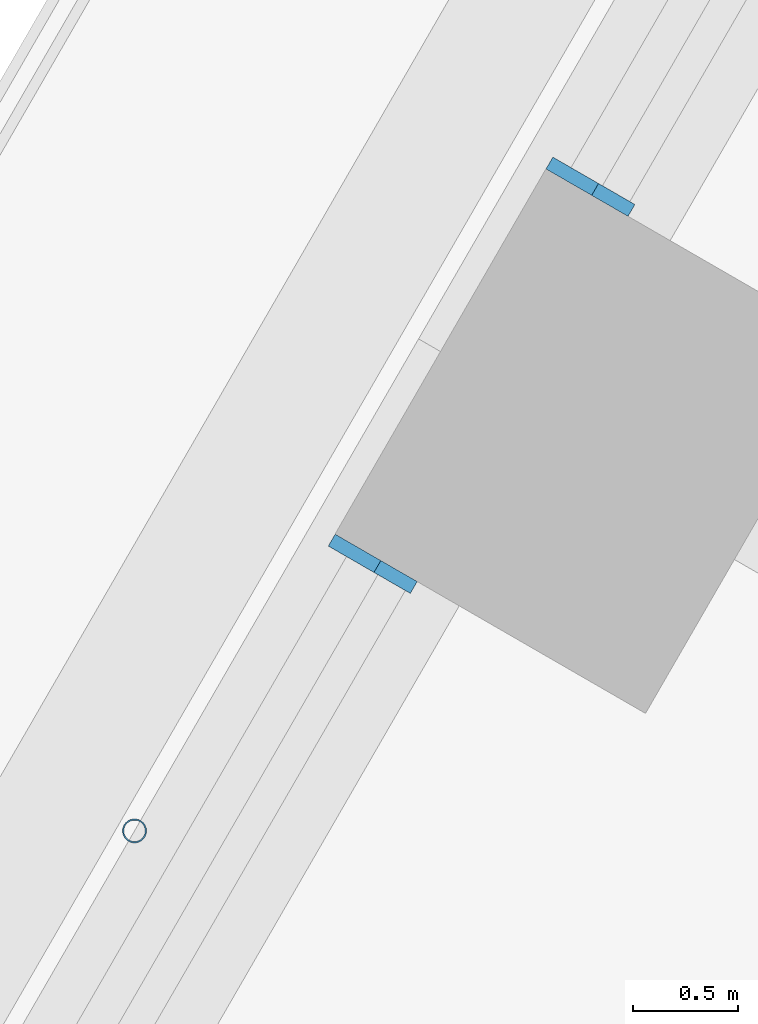
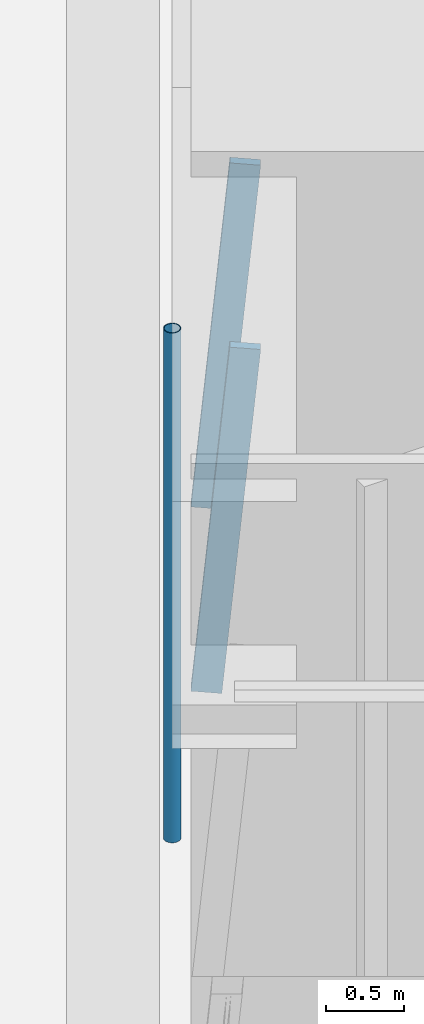
# One storey, part 7 of 24: 3 members, 2 elements without a shape of their own.
"""IFC4 building model written with IfcOpenShell, lengths in metres."""

from ifc_helpers import new_model, si_unit, direction, frame, origin, origin_2d, place, context, subcontext, project, spatial, rectangle, hollow_circle, extrude, material, material_profile, profile_set, type_object, element, aggregate, save


model = new_model("IFC4")

# Units and contexts
model_context = context("Model", 3, precision=1e-05, world=origin(), true_north=direction((0.0, 1.0)))
body_context = subcontext(model_context, "Body", "Model", "MODEL_VIEW")
ifc_project = project(units=[si_unit("LENGTHUNIT", "METRE"), si_unit("AREAUNIT", "SQUARE_METRE"), si_unit("VOLUMEUNIT", "CUBIC_METRE"), si_unit("PLANEANGLEUNIT", "RADIAN"), si_unit("MASSUNIT", "GRAM", prefix="KILO")], contexts=[model_context])

# Site, building, storey
site_placement = place(None, origin())
site = spatial("IfcSite", under=ifc_project, at=site_placement, CompositionType="ELEMENT")
building_placement = place(site_placement, origin())
building = spatial("IfcBuilding", under=site, at=building_placement, Name="Tarfa Lantern Tower", CompositionType="ELEMENT")
storey_placement = place(building_placement, frame((0.0, 0.0, 69.699951171875)))
storey = spatial("IfcBuildingStorey", under=building, at=storey_placement, Name="L15", CompositionType="ELEMENT", Elevation=69.699951171875)

# Curtain wall, member
ifc_material_1 = material(Name="Aluminium framed curtain wall", Category="aluminium")
curtain_wall_type = type_object("IfcCurtainWallType", Name="CW1 CANTED GLAZING LOW ZONE 2700", PredefinedType="USERDEFINED", material=ifc_material_1)
curtain_wall_1_placement = place(storey_placement, origin())
curtain_wall_1 = element("IfcCurtainWall", 1, at=curtain_wall_1_placement, inside=storey, type_object=curtain_wall_type, Name="CW1 NW L15", ObjectType="CURTAIN WALL", PredefinedType="USERDEFINED")
ifc_material_2 = material(Name="Aluminium mullion", Category="aluminium")
ifc_material_profile_1 = material_profile(ifc_material_2, rectangle(XDim=0.06494140625, YDim=0.199951171875, at=origin_2d()), Name="AL MULLION 65x200")
ifc_profile_set_1 = profile_set([ifc_material_profile_1], Name="Aluminium mullion")
member_type_1 = type_object("IfcMemberType", Name="CWM1 MULLION 65x200", PredefinedType="MULLION", material=ifc_profile_set_1)
member_1_placement = place(storey_placement, frame((-31.536376953125, 13.177490234375, 0.0), z_axis=(0.07986442134, -0.046099868913, 0.99573916077), x_axis=(0.499919672301, 0.866071776036, 0.0)))
member_1 = element("IfcMember", 2, at=member_1_placement, type_object=member_type_1, Name="CW1 mullion 2", PredefinedType="MULLION", context=body_context, shape_type="SweptSolid", body=[
    extrude(rectangle(XDim=0.06494140625, YDim=0.199951171875, at=origin_2d()), origin(), (0.0, 0.0, 1.0), 2.71142578125),
])
aggregate(curtain_wall_1, [member_1])

curtain_wall_2_placement = place(storey_placement, origin())
curtain_wall_2 = element("IfcCurtainWall", 3, at=curtain_wall_2_placement, inside=storey, type_object=curtain_wall_type, Name="CW1 NW L15", ObjectType="CURTAIN WALL", PredefinedType="USERDEFINED")
member_2_placement = place(storey_placement, frame((-32.56884765625, 11.38916015625, 0.0), z_axis=(0.07986442134, -0.046099868913, 0.99573916077), x_axis=(0.499919672301, 0.866071776036, 0.0)))
member_2 = element("IfcMember", 4, at=member_2_placement, type_object=member_type_1, Name="CW1 mullion 1", PredefinedType="MULLION", context=body_context, shape_type="SweptSolid", body=[
    extrude(rectangle(XDim=0.06494140625, YDim=0.199951171875, at=origin_2d()), origin(), (0.0, 0.0, 1.0), 2.71142578125),
])
aggregate(curtain_wall_2, [member_2])

# Member
ifc_material_3 = material(Name="Steel S355", Category="steel")
ifc_material_profile_2 = material_profile(ifc_material_3, hollow_circle(Radius=0.05712890625, WallThickness=0.00634765625, at=origin_2d()), Name="CHS114.3x6.3")
ifc_profile_set_2 = profile_set([ifc_material_profile_2], Name="Steel S355")
member_type_2 = type_object("IfcMemberType", Name="TR1 GREEN WALL TRELLIS CHS114.3x6.3", PredefinedType="USERDEFINED", material=ifc_profile_set_2)
member_3_placement = place(storey_placement, frame((-33.59033203125, 10.06005859375, 0.0), z_axis=(0.0, 0.0, 1.0), x_axis=(1.0, 0.0, 0.0)))
element("IfcMember", 5, at=member_3_placement, inside=storey, type_object=member_type_2, Name="Trellis post NW 2", ObjectType="TRELLIS", PredefinedType="USERDEFINED", context=body_context, shape_type="SweptSolid", body=[
    extrude(hollow_circle(Radius=0.05712890625, WallThickness=0.00634765625, at=origin_2d()), origin(), (0.0, 0.0, 1.0), 4.0),
])

save(model, "model.ifc")
